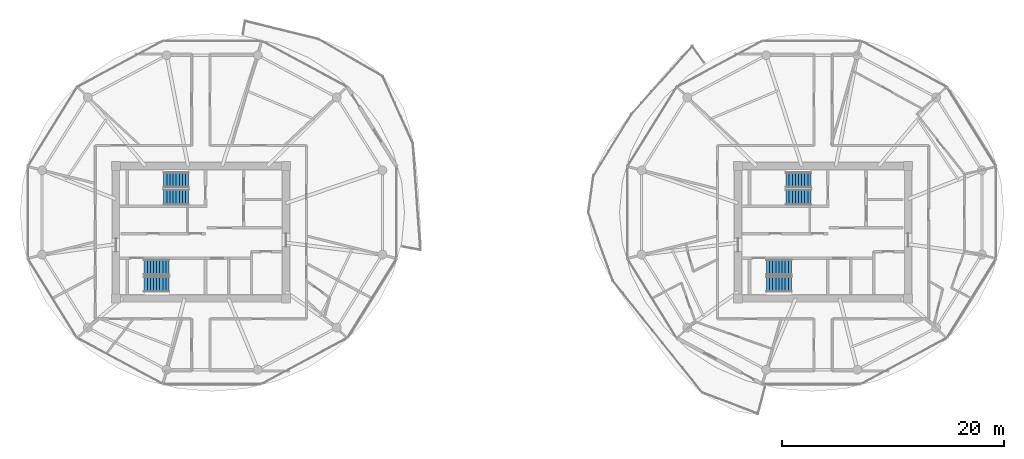
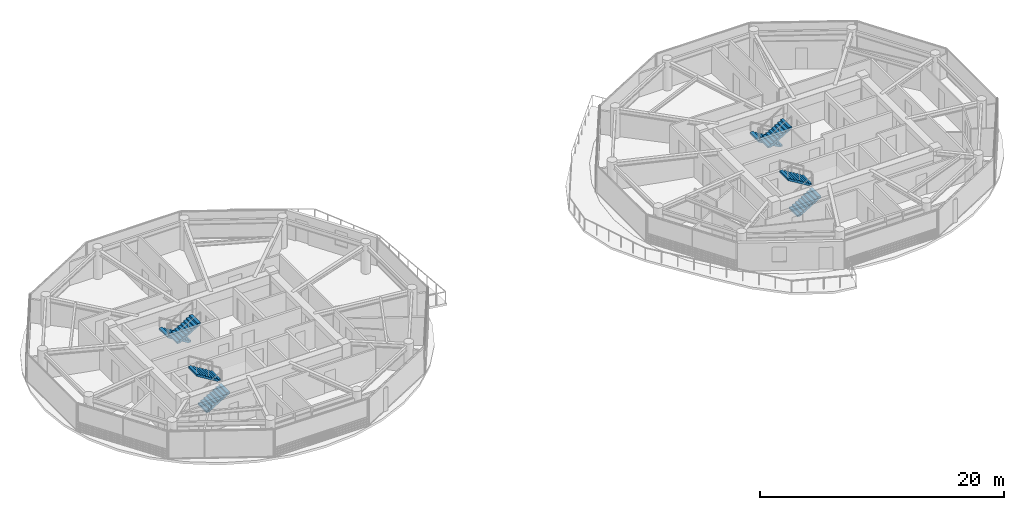
# One storey, part 18 of 22: 8 stair flights, 4 elements without a shape of their own.
"""IFC4 building model written with IfcOpenShell, lengths in metres."""

from ifc_helpers import new_model, si_unit, direction, frame, origin, place, context, subcontext, project, spatial, polyline, outline, extrude, material, type_object, element, aggregate, save


model = new_model("IFC4")

# Units and contexts
model_context = context("Model", 3, precision=1e-05, world=origin(), true_north=direction((0.0, 1.0)))
body_context = subcontext(model_context, "Body", "Model", "MODEL_VIEW")
ifc_project = project(units=[si_unit("LENGTHUNIT", "METRE"), si_unit("AREAUNIT", "SQUARE_METRE"), si_unit("VOLUMEUNIT", "CUBIC_METRE"), si_unit("PLANEANGLEUNIT", "RADIAN"), si_unit("MASSUNIT", "GRAM", prefix="KILO")], contexts=[model_context])

# Site, building, storey
site_placement = place(None, origin())
site = spatial("IfcSite", under=ifc_project, at=site_placement, CompositionType="ELEMENT")
building_placement = place(site_placement, origin())
building = spatial("IfcBuilding", under=site, at=building_placement, Name="Norrkilde Senior Care Towers", CompositionType="ELEMENT")
storey_placement = place(building_placement, frame((0.0, 0.0, 137.35009765625)))
storey = spatial("IfcBuildingStorey", under=building, at=storey_placement, Name="L42", CompositionType="ELEMENT", Elevation=137.35009765625)

# Stair, stair flights
ifc_material = material(Name="Concrete C45/55", Category="concrete")
stair_type = type_object("IfcStairType", Name="Core Protected Dogleg Stair Typical 3050", PredefinedType="HALF_TURN_STAIR", material=ifc_material)
stair_1_placement = place(storey_placement, origin())
stair_1 = element("IfcStair", 1, at=stair_1_placement, inside=storey, type_object=stair_type, Name="L42 Protected Core Stair W1", PredefinedType="HALF_TURN_STAIR")
stair_flight_type = type_object("IfcStairFlightType", Name="Core Protected Dogleg Stair Typical 3050 Flight", PredefinedType="STRAIGHT", material=ifc_material)
stair_flight_1_placement = place(storey_placement, frame((-29.10009765625, 4.699951171875, 0.0), z_axis=(0.0, 0.0, 1.0), x_axis=(-1.0, 0.0, 0.0)))
stair_flight_1 = element("IfcStairFlight", 2, at=stair_flight_1_placement, type_object=stair_flight_type, Name="ST-W1 flight 1", NumberOfRisers=9, NumberOfTreads=8, PredefinedType="STRAIGHT", RiserHeight=0.169444444, TreadLength=0.28, context=body_context, shape_type="SweptSolid", body=[
    extrude(outline(polyline([(0.0, 0.0), (0.0, 0.16943359375), (0.280029296875, 0.16943359375), (0.280029296875, 0.3388671875), (0.56005859375, 0.3388671875), (0.56005859375, 0.50830078125), (0.840087890625, 0.50830078125), (0.840087890625, 0.677734375), (1.1201171875, 0.677734375), (1.1201171875, 0.84716796875), (1.39990234375, 0.84716796875), (1.39990234375, 1.0166015625), (1.679931640625, 1.0166015625), (1.679931640625, 1.18603515625), (1.9599609375, 1.18603515625), (1.9599609375, 1.35546875), (2.239990234375, 1.35546875), (2.239990234375, 1.52490234375), (2.239990234375, 1.180419921875), (0.28955078125, 0.0), (0.0, 0.0)])), frame((0.0, 0.699951171875, 0.0), z_axis=(0.0, -1.0, 0.0), x_axis=(1.0, 0.0, 0.0)), (0.0, 0.0, 1.0), 1.39990234375),
])
stair_flight_2_placement = place(storey_placement, frame((-31.340087890625, 3.14990234375, 1.52490234375), z_axis=(0.0, 0.0, 1.0), x_axis=(1.0, 0.0, 0.0)))
stair_flight_2 = element("IfcStairFlight", 3, at=stair_flight_2_placement, type_object=stair_flight_type, Name="ST-W1 flight 2", NumberOfRisers=9, NumberOfTreads=8, PredefinedType="STRAIGHT", RiserHeight=0.169444444, TreadLength=0.28, context=body_context, shape_type="SweptSolid", body=[
    extrude(outline(polyline([(0.0, 0.0), (0.0, 0.16943359375), (0.280029296875, 0.16943359375), (0.280029296875, 0.3388671875), (0.56005859375, 0.3388671875), (0.56005859375, 0.50830078125), (0.840087890625, 0.50830078125), (0.840087890625, 0.677734375), (1.1201171875, 0.677734375), (1.1201171875, 0.84716796875), (1.39990234375, 0.84716796875), (1.39990234375, 1.0166015625), (1.679931640625, 1.0166015625), (1.679931640625, 1.18603515625), (1.9599609375, 1.18603515625), (1.9599609375, 1.35546875), (2.239990234375, 1.35546875), (2.239990234375, 1.52490234375), (2.239990234375, 1.180419921875), (0.28955078125, 0.0), (0.0, 0.0)])), frame((0.0, 0.699951171875, 0.0), z_axis=(0.0, -1.0, 0.0), x_axis=(1.0, 0.0, 0.0)), (0.0, 0.0, 1.0), 1.39990234375),
])
aggregate(stair_1, [stair_flight_1, stair_flight_2])

stair_2_placement = place(storey_placement, origin())
stair_2 = element("IfcStair", 4, at=stair_2_placement, inside=storey, type_object=stair_type, Name="L42 Protected Core Stair W2", PredefinedType="HALF_TURN_STAIR")
stair_flight_3_placement = place(storey_placement, frame((-33.10009765625, -4.699951171875, 0.0), z_axis=(0.0, 0.0, 1.0), x_axis=(1.0, 0.0, 0.0)))
stair_flight_3 = element("IfcStairFlight", 5, at=stair_flight_3_placement, type_object=stair_flight_type, Name="ST-W2 flight 1", NumberOfRisers=9, NumberOfTreads=8, PredefinedType="STRAIGHT", RiserHeight=0.169444444, TreadLength=0.28, context=body_context, shape_type="SweptSolid", body=[
    extrude(outline(polyline([(0.0, 0.0), (0.0, 0.16943359375), (0.280029296875, 0.16943359375), (0.280029296875, 0.3388671875), (0.56005859375, 0.3388671875), (0.56005859375, 0.50830078125), (0.840087890625, 0.50830078125), (0.840087890625, 0.677734375), (1.1201171875, 0.677734375), (1.1201171875, 0.84716796875), (1.39990234375, 0.84716796875), (1.39990234375, 1.0166015625), (1.679931640625, 1.0166015625), (1.679931640625, 1.18603515625), (1.9599609375, 1.18603515625), (1.9599609375, 1.35546875), (2.239990234375, 1.35546875), (2.239990234375, 1.52490234375), (2.239990234375, 1.180419921875), (0.28955078125, 0.0), (0.0, 0.0)])), frame((0.0, 0.699951171875, 0.0), z_axis=(0.0, -1.0, 0.0), x_axis=(1.0, 0.0, 0.0)), (0.0, 0.0, 1.0), 1.39990234375),
])
stair_flight_4_placement = place(storey_placement, frame((-30.860107421875, -3.14990234375, 1.52490234375), z_axis=(0.0, 0.0, 1.0), x_axis=(-1.0, 0.0, 0.0)))
stair_flight_4 = element("IfcStairFlight", 6, at=stair_flight_4_placement, type_object=stair_flight_type, Name="ST-W2 flight 2", NumberOfRisers=9, NumberOfTreads=8, PredefinedType="STRAIGHT", RiserHeight=0.169444444, TreadLength=0.28, context=body_context, shape_type="SweptSolid", body=[
    extrude(outline(polyline([(0.0, 0.0), (0.0, 0.16943359375), (0.280029296875, 0.16943359375), (0.280029296875, 0.3388671875), (0.56005859375, 0.3388671875), (0.56005859375, 0.50830078125), (0.840087890625, 0.50830078125), (0.840087890625, 0.677734375), (1.1201171875, 0.677734375), (1.1201171875, 0.84716796875), (1.39990234375, 0.84716796875), (1.39990234375, 1.0166015625), (1.679931640625, 1.0166015625), (1.679931640625, 1.18603515625), (1.9599609375, 1.18603515625), (1.9599609375, 1.35546875), (2.239990234375, 1.35546875), (2.239990234375, 1.52490234375), (2.239990234375, 1.180419921875), (0.28955078125, 0.0), (0.0, 0.0)])), frame((0.0, 0.699951171875, 0.0), z_axis=(0.0, -1.0, 0.0), x_axis=(1.0, 0.0, 0.0)), (0.0, 0.0, 1.0), 1.39990234375),
])
aggregate(stair_2, [stair_flight_3, stair_flight_4])

stair_3_placement = place(storey_placement, origin())
stair_3 = element("IfcStair", 7, at=stair_3_placement, inside=storey, type_object=stair_type, Name="L42 Protected Core Stair E1", PredefinedType="HALF_TURN_STAIR")
stair_flight_5_placement = place(storey_placement, frame((26.89990234375, 4.699951171875, 0.0), z_axis=(0.0, 0.0, 1.0), x_axis=(-1.0, 0.0, 0.0)))
stair_flight_5 = element("IfcStairFlight", 8, at=stair_flight_5_placement, type_object=stair_flight_type, Name="ST-E1 flight 1", NumberOfRisers=9, NumberOfTreads=8, PredefinedType="STRAIGHT", RiserHeight=0.169444444, TreadLength=0.28, context=body_context, shape_type="SweptSolid", body=[
    extrude(outline(polyline([(0.0, 0.0), (0.0, 0.16943359375), (0.280029296875, 0.16943359375), (0.280029296875, 0.3388671875), (0.56005859375, 0.3388671875), (0.56005859375, 0.50830078125), (0.840087890625, 0.50830078125), (0.840087890625, 0.677734375), (1.1201171875, 0.677734375), (1.1201171875, 0.84716796875), (1.39990234375, 0.84716796875), (1.39990234375, 1.0166015625), (1.679931640625, 1.0166015625), (1.679931640625, 1.18603515625), (1.9599609375, 1.18603515625), (1.9599609375, 1.35546875), (2.239990234375, 1.35546875), (2.239990234375, 1.52490234375), (2.239990234375, 1.180419921875), (0.28955078125, 0.0), (0.0, 0.0)])), frame((0.0, 0.699951171875, 0.0), z_axis=(0.0, -1.0, 0.0), x_axis=(1.0, 0.0, 0.0)), (0.0, 0.0, 1.0), 1.39990234375),
])
stair_flight_6_placement = place(storey_placement, frame((24.659912109375, 3.14990234375, 1.52490234375), z_axis=(0.0, 0.0, 1.0), x_axis=(1.0, 0.0, 0.0)))
stair_flight_6 = element("IfcStairFlight", 9, at=stair_flight_6_placement, type_object=stair_flight_type, Name="ST-E1 flight 2", NumberOfRisers=9, NumberOfTreads=8, PredefinedType="STRAIGHT", RiserHeight=0.169444444, TreadLength=0.28, context=body_context, shape_type="SweptSolid", body=[
    extrude(outline(polyline([(0.0, 0.0), (0.0, 0.16943359375), (0.280029296875, 0.16943359375), (0.280029296875, 0.3388671875), (0.56005859375, 0.3388671875), (0.56005859375, 0.50830078125), (0.840087890625, 0.50830078125), (0.840087890625, 0.677734375), (1.1201171875, 0.677734375), (1.1201171875, 0.84716796875), (1.39990234375, 0.84716796875), (1.39990234375, 1.0166015625), (1.679931640625, 1.0166015625), (1.679931640625, 1.18603515625), (1.9599609375, 1.18603515625), (1.9599609375, 1.35546875), (2.239990234375, 1.35546875), (2.239990234375, 1.52490234375), (2.239990234375, 1.180419921875), (0.28955078125, 0.0), (0.0, 0.0)])), frame((0.0, 0.699951171875, 0.0), z_axis=(0.0, -1.0, 0.0), x_axis=(1.0, 0.0, 0.0)), (0.0, 0.0, 1.0), 1.39990234375),
])
aggregate(stair_3, [stair_flight_5, stair_flight_6])

stair_4_placement = place(storey_placement, origin())
stair_4 = element("IfcStair", 10, at=stair_4_placement, inside=storey, type_object=stair_type, Name="L42 Protected Core Stair E2", PredefinedType="HALF_TURN_STAIR")
stair_flight_7_placement = place(storey_placement, frame((22.89990234375, -4.699951171875, 0.0), z_axis=(0.0, 0.0, 1.0), x_axis=(1.0, 0.0, 0.0)))
stair_flight_7 = element("IfcStairFlight", 11, at=stair_flight_7_placement, type_object=stair_flight_type, Name="ST-E2 flight 1", NumberOfRisers=9, NumberOfTreads=8, PredefinedType="STRAIGHT", RiserHeight=0.169444444, TreadLength=0.28, context=body_context, shape_type="SweptSolid", body=[
    extrude(outline(polyline([(0.0, 0.0), (0.0, 0.16943359375), (0.280029296875, 0.16943359375), (0.280029296875, 0.3388671875), (0.56005859375, 0.3388671875), (0.56005859375, 0.50830078125), (0.840087890625, 0.50830078125), (0.840087890625, 0.677734375), (1.1201171875, 0.677734375), (1.1201171875, 0.84716796875), (1.39990234375, 0.84716796875), (1.39990234375, 1.0166015625), (1.679931640625, 1.0166015625), (1.679931640625, 1.18603515625), (1.9599609375, 1.18603515625), (1.9599609375, 1.35546875), (2.239990234375, 1.35546875), (2.239990234375, 1.52490234375), (2.239990234375, 1.180419921875), (0.28955078125, 0.0), (0.0, 0.0)])), frame((0.0, 0.699951171875, 0.0), z_axis=(0.0, -1.0, 0.0), x_axis=(1.0, 0.0, 0.0)), (0.0, 0.0, 1.0), 1.39990234375),
])
stair_flight_8_placement = place(storey_placement, frame((25.139892578125, -3.14990234375, 1.52490234375), z_axis=(0.0, 0.0, 1.0), x_axis=(-1.0, 0.0, 0.0)))
stair_flight_8 = element("IfcStairFlight", 12, at=stair_flight_8_placement, type_object=stair_flight_type, Name="ST-E2 flight 2", NumberOfRisers=9, NumberOfTreads=8, PredefinedType="STRAIGHT", RiserHeight=0.169444444, TreadLength=0.28, context=body_context, shape_type="SweptSolid", body=[
    extrude(outline(polyline([(0.0, 0.0), (0.0, 0.16943359375), (0.280029296875, 0.16943359375), (0.280029296875, 0.3388671875), (0.56005859375, 0.3388671875), (0.56005859375, 0.50830078125), (0.840087890625, 0.50830078125), (0.840087890625, 0.677734375), (1.1201171875, 0.677734375), (1.1201171875, 0.84716796875), (1.39990234375, 0.84716796875), (1.39990234375, 1.0166015625), (1.679931640625, 1.0166015625), (1.679931640625, 1.18603515625), (1.9599609375, 1.18603515625), (1.9599609375, 1.35546875), (2.239990234375, 1.35546875), (2.239990234375, 1.52490234375), (2.239990234375, 1.180419921875), (0.28955078125, 0.0), (0.0, 0.0)])), frame((0.0, 0.699951171875, 0.0), z_axis=(0.0, -1.0, 0.0), x_axis=(1.0, 0.0, 0.0)), (0.0, 0.0, 1.0), 1.39990234375),
])
aggregate(stair_4, [stair_flight_7, stair_flight_8])

save(model, "model.ifc")
